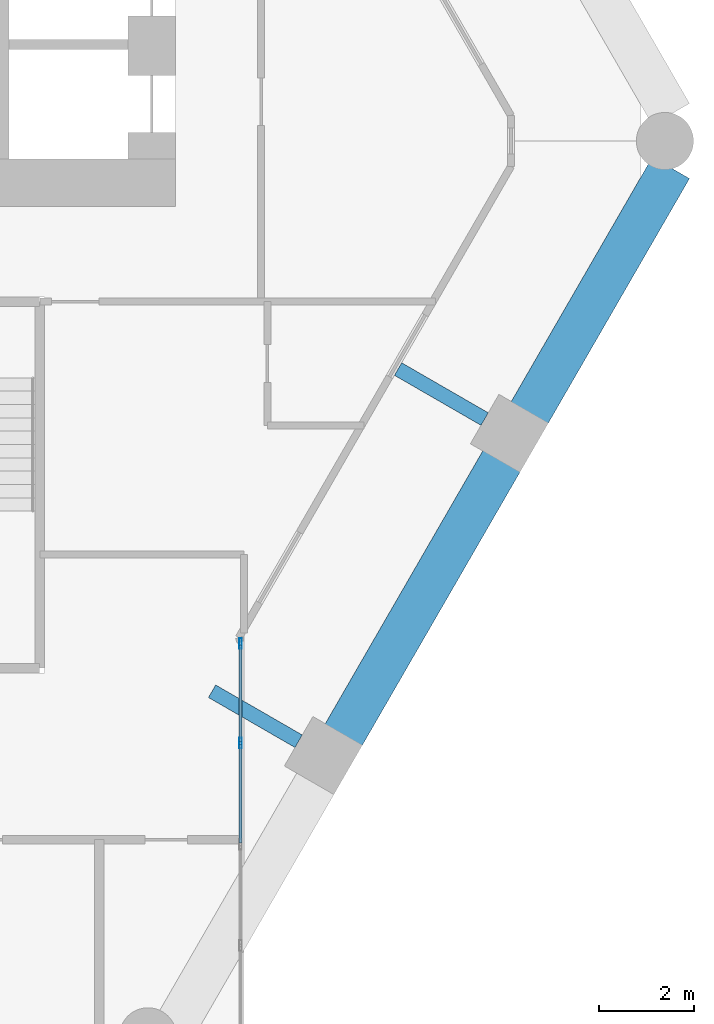
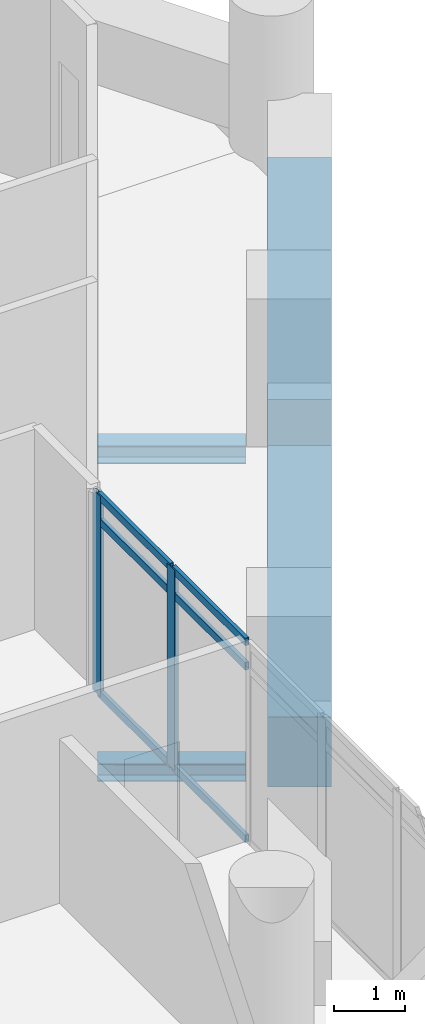
# One storey, part 11 of 28: 8 members, 4 beams, 1 element without a shape of its own.
"""IFC4 building model written with IfcOpenShell, lengths in metres."""

import ifcopenshell
import ifcopenshell.guid

model = None  # the IFC model being written
_history = None  # IfcOwnerHistory: only IFC2X3 demands one
_inside = {}  # id of a spatial element -> (the spatial element, [elements in it])
_under = {}  # id of a project, library or spatial element -> (it, [spatial elements below it])
_declared = {}  # id of a project -> (the project, [libraries it declares])
_typed = {}  # id of a type object -> (the type object, [elements of that type])
_made_of = {}  # id of a material, layer set ... -> (it, [elements and type objects made of it])


def new_model(schema):
    """Start an empty IFC model of exactly this schema.

    Asked for "IFC4X3", IfcOpenShell would pick the latest addendum, in which some entities
    have other attributes; the version numbers below select the first issue.
    IFC2X3 requires an IfcOwnerHistory on every rooted entity: one is made here for all.
    """
    global model, _history
    if schema == "IFC4X3":
        model = ifcopenshell.file(schema_version=(4, 3, 0, 0))
    else:
        model = ifcopenshell.file(schema=schema)
    _inside.clear()
    _under.clear()
    _declared.clear()
    _typed.clear()
    _made_of.clear()
    _history = None
    if model.schema == "IFC2X3":
        org = make("IfcOrganization", Name="unknown")
        user = make(
            "IfcPersonAndOrganization",
            ThePerson=make("IfcPerson", FamilyName="unknown"),
            TheOrganization=org,
        )
        app = make(
            "IfcApplication",
            ApplicationDeveloper=org,
            Version="unknown",
            ApplicationFullName="unknown",
            ApplicationIdentifier="unknown",
        )
        _history = make(
            "IfcOwnerHistory",
            OwningUser=user,
            OwningApplication=app,
            ChangeAction="ADDED",
            CreationDate=0,
        )
    return model


def make(cls, **values):
    """One entity of the class cls with the attributes given. An attribute that is None is left unset."""
    return model.create_entity(
        cls, **{name: value for name, value in values.items() if value is not None}
    )


def rooted(cls, **values):
    """An entity with a GlobalId (a new one), such as an element, a storey or a relation."""
    return make(cls, GlobalId=ifcopenshell.guid.new(), OwnerHistory=_history, **values)


def si_unit(unit_type, name, prefix=None):
    """IfcSIUnit, for example si_unit("LENGTHUNIT", "METRE", prefix="MILLI")."""
    return make("IfcSIUnit", UnitType=unit_type, Prefix=prefix, Name=name)


def assignment(units):
    """IfcUnitAssignment: the units of a project."""
    return None if units is None else make("IfcUnitAssignment", Units=units)


def point(xyz):
    """IfcCartesianPoint."""
    return None if xyz is None else make("IfcCartesianPoint", Coordinates=xyz)


def direction(xyz):
    """IfcDirection."""
    return None if xyz is None else make("IfcDirection", DirectionRatios=xyz)


def frame(location, z_axis=None, x_axis=None):
    """IfcAxis2Placement3D, a coordinate frame: its origin and axes. An axis left out is left unset."""
    return make(
        "IfcAxis2Placement3D",
        Location=point(location),
        Axis=direction(z_axis),
        RefDirection=direction(x_axis),
    )


def frame_2d(location, x_axis=None):
    """IfcAxis2Placement2D, a coordinate frame in the plane: its origin and x axis."""
    return make(
        "IfcAxis2Placement2D", Location=point(location), RefDirection=direction(x_axis)
    )


def origin():
    """The frame at (0, 0, 0) with its axes left unset."""
    return frame((0.0, 0.0, 0.0))


def origin_2d():
    """The frame at (0, 0) in the plane with its x axis left unset."""
    return frame_2d((0.0, 0.0))


def place(relative_to, where):
    """IfcLocalPlacement: puts the frame where relative to a parent placement (None: the world)."""
    return make(
        "IfcLocalPlacement", PlacementRelTo=relative_to, RelativePlacement=where
    )


def context(
    kind, dimensions, precision=None, world=None, true_north=None, identifier=None
):
    """IfcGeometricRepresentationContext, for example the 3D "Model" context."""
    return make(
        "IfcGeometricRepresentationContext",
        ContextIdentifier=identifier,
        ContextType=kind,
        CoordinateSpaceDimension=dimensions,
        Precision=precision,
        WorldCoordinateSystem=world,
        TrueNorth=true_north,
    )


def subcontext(parent, identifier, kind, view, scale=None):
    """IfcGeometricRepresentationSubContext, for example "Body" below "Model"."""
    return make(
        "IfcGeometricRepresentationSubContext",
        ContextIdentifier=identifier,
        ContextType=kind,
        ParentContext=parent,
        TargetScale=scale,
        TargetView=view,
    )


def project(units=None, contexts=None):
    """IfcProject with its units and contexts."""
    return rooted(
        "IfcProject",
        Name="project",
        RepresentationContexts=contexts,
        UnitsInContext=assignment(units),
    )


def spatial(cls, under=None, at=None, **own):
    """A site, building, storey or space (cls), placed at a placement, below another one or the project."""
    s = rooted(cls, ObjectPlacement=at, **own)
    if under is not None:
        _under.setdefault(under.id(), (under, []))[1].append(s)
    return s


def profile(cls, at=None, kind="AREA", **sizes):
    """A parametric profile (cls). Its sizes go by their IFC names, for example OverallWidth=200.0."""
    return make(cls, ProfileType=kind, Position=at, **sizes)


def rectangle(**sizes):
    """IfcRectangleProfileDef."""
    return profile("IfcRectangleProfileDef", **sizes)


def hollow_rectangle(**sizes):
    """IfcRectangleHollowProfileDef."""
    return profile("IfcRectangleHollowProfileDef", **sizes)


def i_section(**sizes):
    """IfcIShapeProfileDef."""
    return profile("IfcIShapeProfileDef", **sizes)


def extrude(swept, where, along, depth):
    """IfcExtrudedAreaSolid: the profile swept, set in the frame where, extruded along a direction by depth."""
    return make(
        "IfcExtrudedAreaSolid",
        SweptArea=swept,
        Position=where,
        ExtrudedDirection=direction(along),
        Depth=depth,
    )


def shape(context_of_items, identifier, shape_type, items):
    """IfcShapeRepresentation: the items that make up one representation, for example the "Body"."""
    return make(
        "IfcShapeRepresentation",
        ContextOfItems=context_of_items,
        RepresentationIdentifier=identifier,
        RepresentationType=shape_type,
        Items=items,
    )


def material(Name=None, Category=None):
    """IfcMaterial."""
    return make("IfcMaterial", Name=Name, Category=Category)


def material_profile(
    of_material, cross_section, Name=None, Category=None, Priority=None
):
    """IfcMaterialProfile: a cross section and its material."""
    return make(
        "IfcMaterialProfile",
        Name=Name,
        Material=of_material,
        Profile=cross_section,
        Priority=Priority,
        Category=Category,
    )


def profile_set(profiles, Name=None, composite=None):
    """IfcMaterialProfileSet."""
    return make(
        "IfcMaterialProfileSet",
        Name=Name,
        MaterialProfiles=profiles,
        CompositeProfile=composite,
    )


def made_of(thing, what):
    """Note that an element or type object is made of a material, layer set ...; save() writes the relation."""
    if what is not None:
        _made_of.setdefault(what.id(), (what, []))[1].append(thing)
    return thing


def type_object(cls, material=None, **own):
    """A type object (cls), such as IfcWallType, which elements share."""
    return made_of(rooted(cls, **own), material)


def element(
    cls,
    number,
    at=None,
    inside=None,
    cuts=None,
    type_object=None,
    material=None,
    context=None,
    identifier="Body",
    shape_type=None,
    held_by="IfcProductDefinitionShape",
    body=None,
    shapes=None,
    **own,
):
    """One element of the class cls, such as IfcWall. Its Tag is "e" and its number.

    at: its placement. inside: the storey or other place that contains it. cuts: it is an
    opening in that element (IfcRelVoidsElement). A single representation is given by context,
    identifier, shape_type and body (its items); several are given by shapes. held_by: the class
    of the entity that holds the representations. save() writes the other relations.
    """
    e = rooted(cls, Tag="e%d" % number, ObjectPlacement=at, **own)
    if body is not None:
        shapes = [shape(context, identifier, shape_type, body)]
    if shapes is not None:
        e.Representation = make(held_by, Representations=shapes)
    if inside is not None:
        _inside.setdefault(inside.id(), (inside, []))[1].append(e)
    if cuts is not None:
        rooted(
            "IfcRelVoidsElement", RelatingBuildingElement=cuts, RelatedOpeningElement=e
        )
    if type_object is not None:
        _typed.setdefault(type_object.id(), (type_object, []))[1].append(e)
    return made_of(e, material)


def aggregate(whole, parts):
    """IfcRelAggregates: a whole, such as a stair, and the parts it consists of."""
    return rooted("IfcRelAggregates", RelatingObject=whole, RelatedObjects=parts)


def save(model, path):
    """Write the relations noted so far, then the file.

    IfcRelAggregates (storeys below a building ...), IfcRelContainedInSpatialStructure (elements
    in a storey), IfcRelDefinesByType, IfcRelAssociatesMaterial and IfcRelDeclares: one each for
    every whole, place, type object, material and project.
    """
    for whole, parts in _under.values():
        aggregate(whole, parts)
    for where, things in _inside.values():
        rooted(
            "IfcRelContainedInSpatialStructure",
            RelatedElements=things,
            RelatingStructure=where,
        )
    for kind, things in _typed.values():
        rooted("IfcRelDefinesByType", RelatedObjects=things, RelatingType=kind)
    for what, things in _made_of.values():
        rooted("IfcRelAssociatesMaterial", RelatedObjects=things, RelatingMaterial=what)
    for by, libraries in _declared.values():
        rooted("IfcRelDeclares", RelatingContext=by, RelatedDefinitions=libraries)
    model.write(path)


model = new_model("IFC4")

# Units and contexts
model_context = context("Model", 3, precision=1e-05, world=origin(), true_north=direction((0.0, 1.0)))
body_context = subcontext(model_context, "Body", "Model", "MODEL_VIEW")
ifc_project = project(units=[si_unit("LENGTHUNIT", "METRE"), si_unit("AREAUNIT", "SQUARE_METRE"), si_unit("VOLUMEUNIT", "CUBIC_METRE"), si_unit("PLANEANGLEUNIT", "RADIAN"), si_unit("MASSUNIT", "GRAM", prefix="KILO")], contexts=[model_context])

# Site, building, storey
site_placement = place(None, origin())
site = spatial("IfcSite", under=ifc_project, at=site_placement, CompositionType="ELEMENT")
building_placement = place(site_placement, origin())
building = spatial("IfcBuilding", under=site, at=building_placement, Name="Ostrander Bayou Hotel Tower", CompositionType="ELEMENT")
storey_placement = place(building_placement, frame((0.0, 0.0, 100.5)))
storey = spatial("IfcBuildingStorey", under=building, at=storey_placement, Name="L25", CompositionType="ELEMENT", Elevation=100.5)

# Curtain wall, members
ifc_material_1 = material(Name="Aluminium and clear glass", Category="aluminium")
curtain_wall_type = type_object("IfcCurtainWallType", Name="CW-BAR glazed wall", PredefinedType="NOTDEFINED", material=ifc_material_1)
curtain_wall_placement = place(storey_placement, origin())
curtain_wall = element("IfcCurtainWall", 1, at=curtain_wall_placement, inside=storey, type_object=curtain_wall_type, Name="CW-BAR L25:SB2S:W", PredefinedType="NOTDEFINED")
ifc_material_2 = material(Name="Aluminium", Category="aluminium")
ifc_material_profile_1 = material_profile(ifc_material_2, hollow_rectangle(XDim=0.06005859375, YDim=0.219970703125, WallThickness=0.00390625, at=origin_2d()))
ifc_profile_set_1 = profile_set([ifc_material_profile_1], Name="Aluminium")
member_type_1 = type_object("IfcMemberType", Name="CW-BR mullion 60 x 220 mm", PredefinedType="MULLION", material=ifc_profile_set_1)
member_1_placement = place(storey_placement, frame((13.3671875, -10.877197265625, 0.0), z_axis=(0.0, 0.0, 1.0), x_axis=(1.0, 0.0, 0.0)))
member_1 = element("IfcMember", 2, at=member_1_placement, type_object=member_type_1, Name="CW-BAR mullion 1", PredefinedType="MULLION", context=body_context, shape_type="SweptSolid", body=[
    extrude(hollow_rectangle(XDim=0.06005859375, YDim=0.219970703125, WallThickness=0.00390625, at=origin_2d()), origin(), (0.0, 0.0, 1.0), 3.449951171875),
])
member_2_placement = place(storey_placement, frame((13.3671875, -12.972412109375, 0.0), z_axis=(0.0, 0.0, 1.0), x_axis=(1.0, 0.0, 0.0)))
member_2 = element("IfcMember", 3, at=member_2_placement, type_object=member_type_1, Name="CW-BAR mullion 2", PredefinedType="MULLION", context=body_context, shape_type="SweptSolid", body=[
    extrude(hollow_rectangle(XDim=0.06005859375, YDim=0.219970703125, WallThickness=0.00390625, at=origin_2d()), origin(), (0.0, 0.0, 1.0), 3.449951171875),
])
ifc_material_3 = material(Name="Aluminium", Category="aluminium")
ifc_material_profile_2 = material_profile(ifc_material_3, hollow_rectangle(XDim=0.06005859375, YDim=0.1298828125, WallThickness=0.00390625, at=origin_2d()))
ifc_profile_set_2 = profile_set([ifc_material_profile_2], Name="Aluminium")
member_type_2 = type_object("IfcMemberType", Name="CW-BR transom 60 x 130 mm", PredefinedType="USERDEFINED", material=ifc_profile_set_2)
member_3_placement = place(storey_placement, frame((13.3671875, -10.9072265625, 0.030029296875), z_axis=(0.0, -1.0, 0.0), x_axis=(1.0, 0.0, 0.0)))
member_3 = element("IfcMember", 4, at=member_3_placement, type_object=member_type_2, Name="CW-BAR transom 1.1", ObjectType="TRANSOM", PredefinedType="USERDEFINED", context=body_context, shape_type="SweptSolid", body=[
    extrude(hollow_rectangle(XDim=0.06005859375, YDim=0.1298828125, WallThickness=0.00390625, at=origin_2d()), origin(), (0.0, 0.0, 1.0), 2.03515625),
])
member_4_placement = place(storey_placement, frame((13.3671875, -10.9072265625, 3.0), z_axis=(0.0, -1.0, 0.0), x_axis=(1.0, 0.0, 0.0)))
member_4 = element("IfcMember", 5, at=member_4_placement, type_object=member_type_2, Name="CW-BAR transom 1.2", ObjectType="TRANSOM", PredefinedType="USERDEFINED", context=body_context, shape_type="SweptSolid", body=[
    extrude(hollow_rectangle(XDim=0.06005859375, YDim=0.1298828125, WallThickness=0.00390625, at=origin_2d()), origin(), (0.0, 0.0, 1.0), 2.03515625),
])
member_5_placement = place(storey_placement, frame((13.3671875, -10.9072265625, 3.419921875), z_axis=(0.0, -1.0, 0.0), x_axis=(1.0, 0.0, 0.0)))
member_5 = element("IfcMember", 6, at=member_5_placement, type_object=member_type_2, Name="CW-BAR transom 1.3", ObjectType="TRANSOM", PredefinedType="USERDEFINED", context=body_context, shape_type="SweptSolid", body=[
    extrude(hollow_rectangle(XDim=0.06005859375, YDim=0.1298828125, WallThickness=0.00390625, at=origin_2d()), origin(), (0.0, 0.0, 1.0), 2.03515625),
])
member_6_placement = place(storey_placement, frame((13.3671875, -13.00244140625, 0.030029296875), z_axis=(0.0, -1.0, 0.0), x_axis=(1.0, 0.0, 0.0)))
member_6 = element("IfcMember", 7, at=member_6_placement, type_object=member_type_2, Name="CW-BAR transom 2.1", ObjectType="TRANSOM", PredefinedType="USERDEFINED", context=body_context, shape_type="SweptSolid", body=[
    extrude(hollow_rectangle(XDim=0.06005859375, YDim=0.1298828125, WallThickness=0.00390625, at=origin_2d()), origin(), (0.0, 0.0, 1.0), 2.06494140625),
])
member_7_placement = place(storey_placement, frame((13.3671875, -13.00244140625, 3.0), z_axis=(0.0, -1.0, 0.0), x_axis=(1.0, 0.0, 0.0)))
member_7 = element("IfcMember", 8, at=member_7_placement, type_object=member_type_2, Name="CW-BAR transom 2.2", ObjectType="TRANSOM", PredefinedType="USERDEFINED", context=body_context, shape_type="SweptSolid", body=[
    extrude(hollow_rectangle(XDim=0.06005859375, YDim=0.1298828125, WallThickness=0.00390625, at=origin_2d()), origin(), (0.0, 0.0, 1.0), 2.06494140625),
])
member_8_placement = place(storey_placement, frame((13.3671875, -13.00244140625, 3.419921875), z_axis=(0.0, -1.0, 0.0), x_axis=(1.0, 0.0, 0.0)))
member_8 = element("IfcMember", 9, at=member_8_placement, type_object=member_type_2, Name="CW-BAR transom 2.3", ObjectType="TRANSOM", PredefinedType="USERDEFINED", context=body_context, shape_type="SweptSolid", body=[
    extrude(hollow_rectangle(XDim=0.06005859375, YDim=0.1298828125, WallThickness=0.00390625, at=origin_2d()), origin(), (0.0, 0.0, 1.0), 2.06494140625),
])
aggregate(curtain_wall, [member_1, member_2, member_3, member_4, member_5, member_6, member_7, member_8])

# Beams
ifc_material_4 = material(Name="Steel ASTM A992", Category="steel")
ifc_material_profile_3 = material_profile(ifc_material_4, i_section(OverallWidth=0.3046875, OverallDepth=0.307861328125, WebThickness=0.010009765625, FlangeThickness=0.015380859375, at=origin_2d()))
ifc_profile_set_3 = profile_set([ifc_material_profile_3], Name="Steel ASTM A992")
beam_type_1 = type_object("IfcBeamType", Name="LB1 loggia bracket W12x65", PredefinedType="BEAM", material=ifc_profile_set_3)
for number, where, z_axis, x_axis, name in (
    (10, (14.587646484375, -12.933349609375, -0.453857421875), (-0.866009402589, 0.500027713859, 0.0), (-0.500027713859, -0.866009402589, 0.0), "LB1 L25 SE1"),
    (11, (18.494384765625, -6.166748046875, -0.453857421875), (-0.866009402589, 0.500027713859, 0.0), (-0.500027713859, -0.866009402589, 0.0), "LB1 L25 SE2"),
):
    element("IfcBeam", number, at=place(storey_placement, frame(where, z_axis=z_axis, x_axis=x_axis)), inside=storey, type_object=beam_type_1, Name=name, PredefinedType="BEAM", context=body_context, shape_type="SweptSolid", body=[
        extrude(i_section(OverallWidth=0.3046875, OverallDepth=0.307861328125, WebThickness=0.010009765625, FlangeThickness=0.015380859375, at=origin_2d()), origin(), (0.0, 0.0, 1.0), 2.10009765625),
    ])
ifc_material_5 = material(Name="Concrete f'c 70 MPa", Category="concrete")
ifc_material_profile_4 = material_profile(ifc_material_5, rectangle(XDim=0.89990234375, YDim=1.199951171875, at=origin_2d()))
ifc_profile_set_4 = profile_set([ifc_material_profile_4], Name="Concrete f'c 70 MPa")
beam_type_2 = type_object("IfcBeamType", Name="SP2 spandrel beam 900 x 1200 mm f'c 70 MPa", PredefinedType="SPANDREL", material=ifc_profile_set_4)
beam_1_placement = place(storey_placement, frame((15.522216796875, -12.814697265625, -0.60009765625), z_axis=(0.499999023957, 0.866025967302, 0.0), x_axis=(-0.866025967302, 0.499999023957, 0.0)))
element("IfcBeam", 12, at=beam_1_placement, inside=storey, type_object=beam_type_2, Name="SP2 L25 SE-2", PredefinedType="SPANDREL", context=body_context, shape_type="SweptSolid", body=[
    extrude(rectangle(XDim=0.89990234375, YDim=1.199951171875, at=origin_2d()), origin(), (0.0, 0.0, 1.0), 6.67333984375),
])
beam_2_placement = place(storey_placement, frame((19.428955078125, -6.048095703125, -0.60009765625), z_axis=(0.500001626982, 0.866024464444, 0.0), x_axis=(-0.866024464444, 0.500001626982, 0.0)))
element("IfcBeam", 13, at=beam_2_placement, inside=storey, type_object=beam_type_2, Name="SP2 L25 SE-3", PredefinedType="SPANDREL", context=body_context, shape_type="SweptSolid", body=[
    extrude(rectangle(XDim=0.89990234375, YDim=1.199951171875, at=origin_2d()), origin(), (0.0, 0.0, 1.0), 5.955078125),
])

save(model, "model.ifc")
